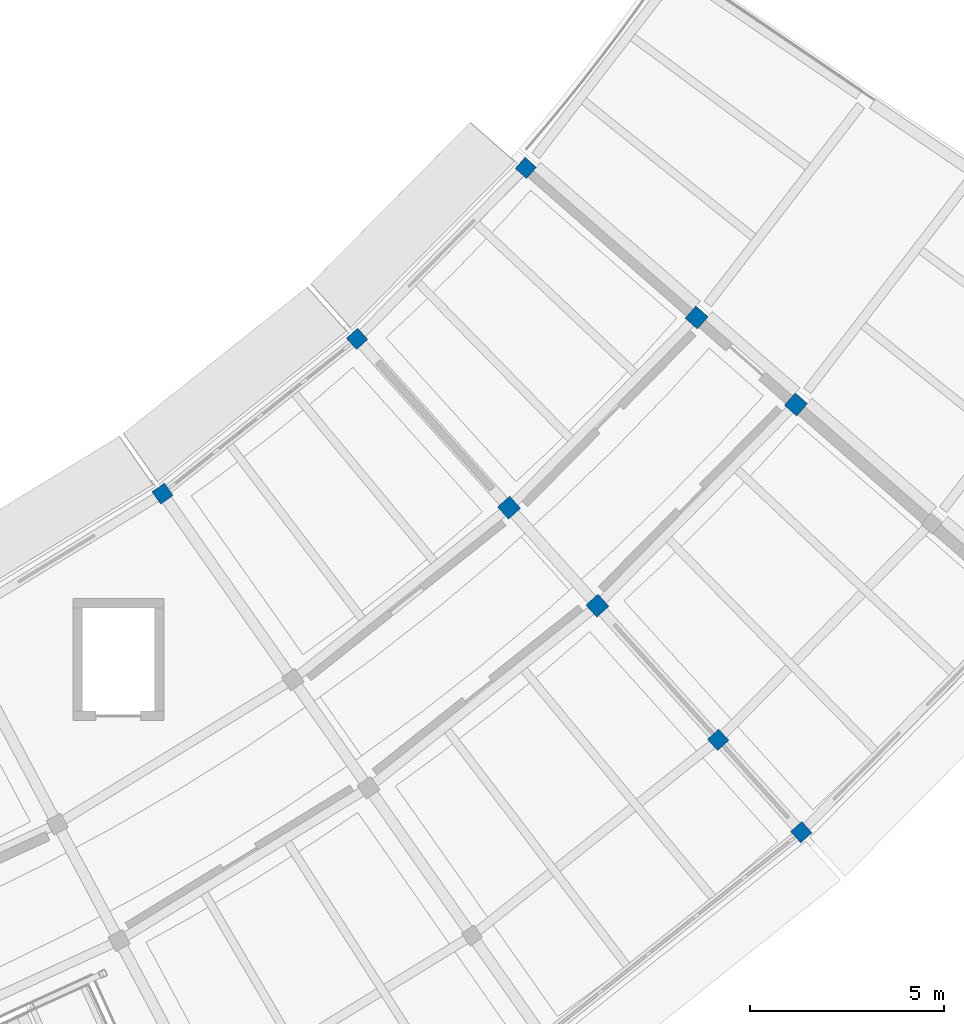
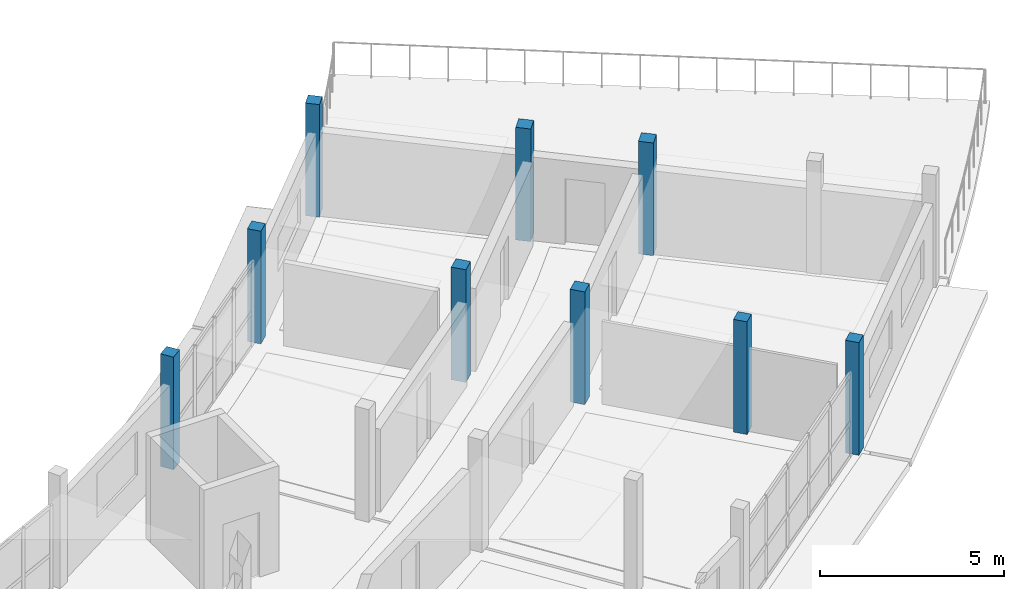
# One storey, part 10 of 66: 9 columns.
"""IFC4 building model written with IfcOpenShell, lengths in metres."""

from ifc_helpers import new_model, si_unit, direction, frame, origin, origin_2d, place, context, subcontext, project, spatial, rectangle, extrude, material, material_profile, profile_set, type_object, element, save


model = new_model("IFC4")

# Units and contexts
model_context = context("Model", 3, precision=1e-05, world=origin(), true_north=direction((0.0, 1.0)))
body_context = subcontext(model_context, "Body", "Model", "MODEL_VIEW")
ifc_project = project(units=[si_unit("LENGTHUNIT", "METRE"), si_unit("AREAUNIT", "SQUARE_METRE"), si_unit("VOLUMEUNIT", "CUBIC_METRE"), si_unit("PLANEANGLEUNIT", "RADIAN"), si_unit("MASSUNIT", "GRAM", prefix="KILO")], contexts=[model_context])

# Site, building, storey
site_placement = place(None, origin())
site = spatial("IfcSite", under=ifc_project, at=site_placement, CompositionType="ELEMENT")
building_placement = place(site_placement, origin())
building = spatial("IfcBuilding", under=site, at=building_placement, Name="Caldaven Crescent School", CompositionType="ELEMENT")
storey_placement = place(building_placement, frame((0.0, 0.0, 8.159912109375)))
storey = spatial("IfcBuildingStorey", under=building, at=storey_placement, Name="L02", CompositionType="ELEMENT", Elevation=8.159912109375)

# Columns
ifc_material = material(Name="Glulam MLE24h (GL28h)", Category="wood")
ifc_material_profile_1 = material_profile(ifc_material, rectangle(XDim=0.389892578125, YDim=0.389892578125, at=origin_2d()), Name="MLE 390x390")
ifc_profile_set_1 = profile_set([ifc_material_profile_1], Name="Glulam MLE24h (GL28h)")
column_type_1 = type_object("IfcColumnType", Name="COL-GL39", PredefinedType="COLUMN", material=ifc_profile_set_1)
for number, where, z_axis, x_axis, name in (
    (1, (118.083984375, 53.035400390625, 0.0), (0.0, 0.0, 1.0), (0.573576436351, -0.819152044289, 0.0), "COL-V4E-L02-02-0"),
    (2, (123.095947265625, 57.02197265625, 0.0), (0.0, 0.0, 1.0), (0.669130606359, -0.743144825477, 0.0), "COL-V4E-L02-03-0"),
    (3, (132.396728515625, 46.6923828125, 0.0), (0.0, 0.0, 1.0), (0.669130606359, -0.743144825477, 0.0), "COL-V4E-L02-03-3"),
    (4, (134.5380859375, 44.314208984375, 0.0), (0.0, 0.0, 1.0), (0.669130606359, -0.743144825477, 0.0), "COL-V4E-L02-03-4"),
    (5, (127.443115234375, 61.427734375, 0.0), (0.0, 0.0, 1.0), (0.752069916777, -0.659083333334, 0.0), "COL-V4E-L02-04-0"),
):
    element("IfcColumn", number, at=place(storey_placement, frame(where, z_axis=z_axis, x_axis=x_axis)), inside=storey, type_object=column_type_1, Name=name, PredefinedType="COLUMN", context=body_context, shape_type="SweptSolid", body=[
        extrude(rectangle(XDim=0.389892578125, YDim=0.389892578125, at=origin_2d()), origin(), (0.0, 0.0, 1.0), 3.739990234375),
    ])
ifc_material_profile_2 = material_profile(ifc_material, rectangle(XDim=0.419921875, YDim=0.419921875, at=origin_2d()), Name="MLE 420x420")
ifc_profile_set_2 = profile_set([ifc_material_profile_2], Name="Glulam MLE24h (GL28h)")
column_type_2 = type_object("IfcColumnType", Name="COL-GL42", PredefinedType="COLUMN", material=ifc_profile_set_2)
for number, where, z_axis, x_axis, name in (
    (6, (127.01025390625, 52.674560546875, 0.0), (0.0, 0.0, 1.0), (0.669130606359, -0.743144825477, 0.0), "COL-V4E-L02-03-1"),
    (7, (129.285400390625, 50.14794921875, 0.0), (0.0, 0.0, 1.0), (0.669130606359, -0.743144825477, 0.0), "COL-V4E-L02-03-2"),
    (8, (131.842529296875, 57.57177734375, 0.0), (0.0, 0.0, 1.0), (0.752069916777, -0.659083333334, 0.0), "COL-V4E-L02-04-1"),
    (9, (134.3994140625, 55.33056640625, 0.0), (0.0, 0.0, 1.0), (0.752069916777, -0.659083333334, 0.0), "COL-V4E-L02-04-2"),
):
    element("IfcColumn", number, at=place(storey_placement, frame(where, z_axis=z_axis, x_axis=x_axis)), inside=storey, type_object=column_type_2, Name=name, PredefinedType="COLUMN", context=body_context, shape_type="SweptSolid", body=[
        extrude(rectangle(XDim=0.419921875, YDim=0.419921875, at=origin_2d()), origin(), (0.0, 0.0, 1.0), 3.739990234375),
    ])

save(model, "model.ifc")
